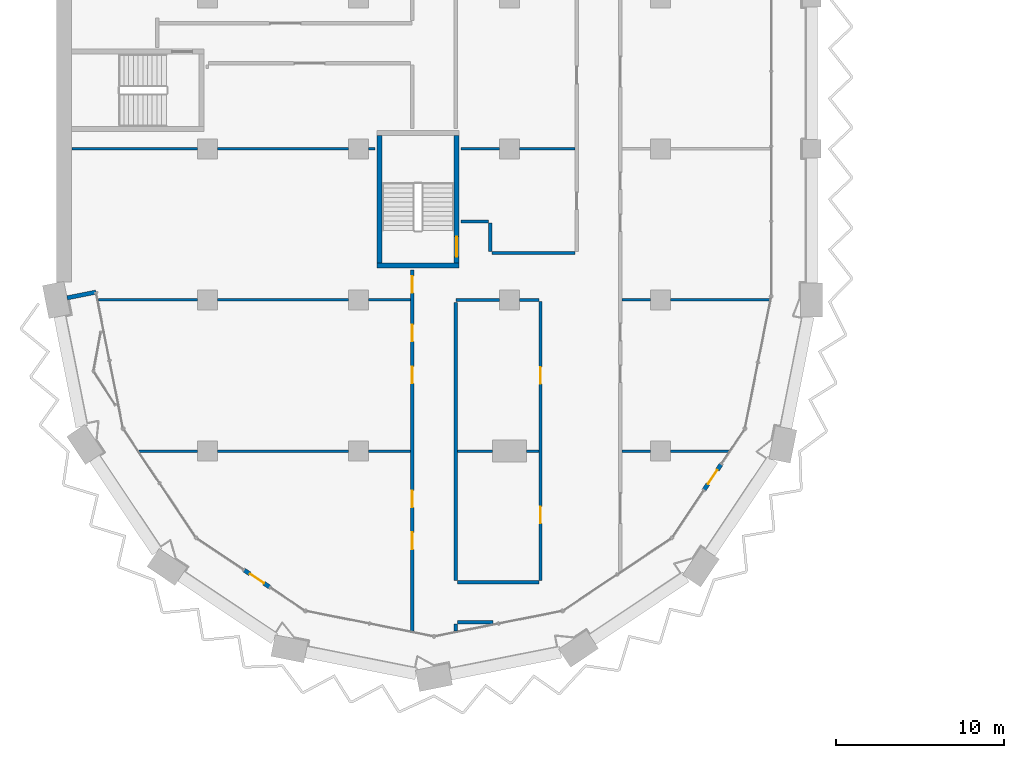
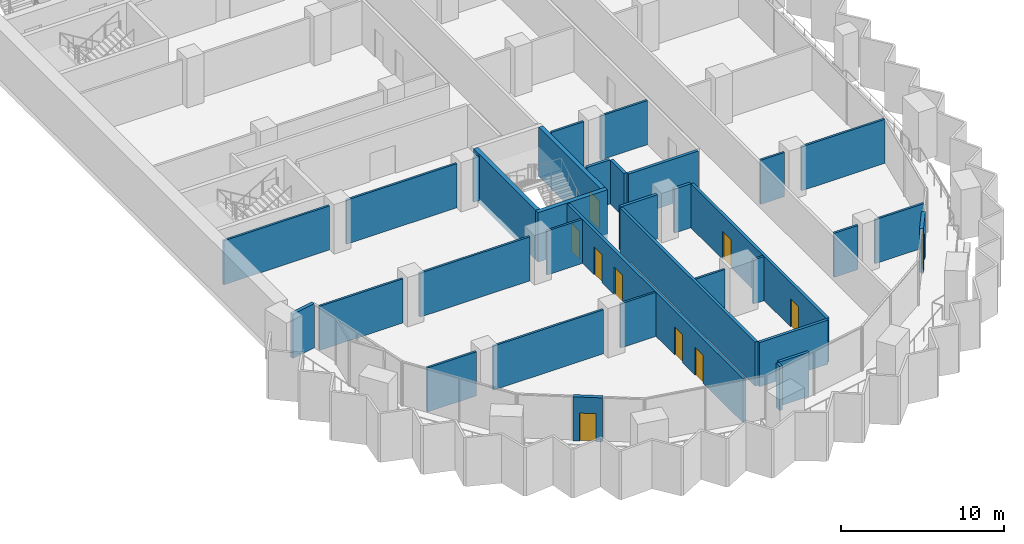
# One storey, part 10 of 23: 34 walls, 10 doors, 10 openings.
"""IFC4 building model written with IfcOpenShell, lengths in metres."""

from ifc_helpers import new_model, si_unit, direction, frame, frame_2d, origin, place, context, subcontext, project, spatial, rectangle, extrude, material, layer, layer_set, type_object, element, fill, save


model = new_model("IFC4")

# Units and contexts
model_context = context("Model", 3, precision=1e-05, world=origin(), true_north=direction((0.0, 1.0)))
body_context = subcontext(model_context, "Body", "Model", "MODEL_VIEW")
ifc_project = project(units=[si_unit("LENGTHUNIT", "METRE"), si_unit("AREAUNIT", "SQUARE_METRE"), si_unit("VOLUMEUNIT", "CUBIC_METRE"), si_unit("PLANEANGLEUNIT", "RADIAN"), si_unit("MASSUNIT", "GRAM", prefix="KILO")], contexts=[model_context])

# Site, building, storey
site_placement = place(None, origin())
site = spatial("IfcSite", under=ifc_project, at=site_placement, CompositionType="ELEMENT")
building_placement = place(site_placement, origin())
building = spatial("IfcBuilding", under=site, at=building_placement, Name="Hunhe Ridgeline Campus", CompositionType="ELEMENT")
storey_placement = place(building_placement, frame((0.0, 0.0, 167.10009765625)))
storey = spatial("IfcBuildingStorey", under=building, at=storey_placement, Name="L42", CompositionType="ELEMENT", Elevation=167.10009765625)

# Walls
ifc_material_1 = material(Name="Concrete C30", Category="concrete")
ifc_layer_1 = layer(ifc_material_1, 0.25)
ifc_layer_set_1 = layer_set([ifc_layer_1], Name="Corner return wall 250 Concrete C30")
wall_type_1 = type_object("IfcWallType", Name="Corner return wall 250 Concrete C30", PredefinedType="SOLIDWALL", material=ifc_layer_set_1)
wall_1_placement = place(storey_placement, frame((0.637451171875, 27.127685546875, 0.0), z_axis=(0.0, 0.0, 1.0), x_axis=(0.980842591884, 0.194801976239, 0.0)))
element("IfcWall", 1, at=wall_1_placement, inside=storey, type_object=wall_type_1, Name="Corner return wall 1", PredefinedType="SOLIDWALL", context=body_context, shape_type="SweptSolid", body=[
    extrude(rectangle(XDim=1.750732421875, YDim=0.25, at=frame_2d((0.87548828125, 0.0))), origin(), (0.0, 0.0, 1.0), 3.2998046875),
])
ifc_material_2 = material(Name="Gypsum board partition")
ifc_layer_2 = layer(ifc_material_2, 0.199951171875)
ifc_layer_set_2 = layer_set([ifc_layer_2], Name="Corridor partition 200 gypsum board on steel studs")
wall_type_2 = type_object("IfcWallType", Name="Corridor partition 200 gypsum board on steel studs", PredefinedType="PARTITIONING", material=ifc_layer_set_2)
wall_2_placement = place(storey_placement, frame((26.021728515625, 7.7900390625, 0.0), z_axis=(0.0, 0.0, 1.0), x_axis=(-1.0, 0.0, 0.0)))
element("IfcWall", 2, at=wall_2_placement, inside=storey, type_object=wall_type_2, Name="F-L42-wall-001", PredefinedType="PARTITIONING", context=body_context, shape_type="SweptSolid", body=[
    extrude(rectangle(XDim=2.121826171875, YDim=0.199951171875, at=frame_2d((1.06103515625, 0.0))), origin(), (0.0, 0.0, 1.0), 3.2998046875),
])
wall_3_placement = place(storey_placement, frame((23.89990234375, 10.18994140625, 0.0), z_axis=(0.0, 0.0, 1.0), x_axis=(1.0, 0.0, 0.0)))
element("IfcWall", 3, at=wall_3_placement, inside=storey, type_object=wall_type_2, Name="F-L42-wall-002", PredefinedType="PARTITIONING", context=body_context, shape_type="SweptSolid", body=[
    extrude(rectangle(XDim=4.85009765625, YDim=0.199951171875, at=frame_2d((2.425048828125, 0.0))), origin(), (0.0, 0.0, 1.0), 3.2998046875),
])
wall_4_placement = place(storey_placement, frame((26.39990234375, 27.0, 0.0), z_axis=(0.0, 0.0, 1.0), x_axis=(-1.0, 0.0, 0.0)))
element("IfcWall", 4, at=wall_4_placement, inside=storey, type_object=wall_type_2, Name="F-L42-wall-010", PredefinedType="PARTITIONING", context=body_context, shape_type="SweptSolid", body=[
    extrude(rectangle(XDim=2.599853515625, YDim=0.199951171875, at=frame_2d((1.2998046875, 0.0))), origin(), (0.0, 0.0, 1.0), 3.2998046875),
])
wall_5_placement = place(storey_placement, frame((28.75, 27.0, 0.0), z_axis=(0.0, 0.0, 1.0), x_axis=(-1.0, 0.0, 0.0)))
element("IfcWall", 5, at=wall_5_placement, inside=storey, type_object=wall_type_2, Name="F-L42-wall-011", PredefinedType="PARTITIONING", context=body_context, shape_type="SweptSolid", body=[
    extrude(rectangle(XDim=1.14990234375, YDim=0.199951171875, at=frame_2d((0.574951171875, 0.0))), origin(), (0.0, 0.0, 1.0), 3.2998046875),
])
wall_6_placement = place(storey_placement, frame((25.949951171875, 29.799072265625, 0.0), z_axis=(0.0, 0.0, 1.0), x_axis=(1.0, 0.0, 0.0)))
element("IfcWall", 6, at=wall_6_placement, inside=storey, type_object=wall_type_2, Name="F-L42-wall-017", PredefinedType="PARTITIONING", context=body_context, shape_type="SweptSolid", body=[
    extrude(rectangle(XDim=4.949951171875, YDim=0.199951171875, at=frame_2d((2.47509765625, 0.0))), origin(), (0.0, 0.0, 1.0), 3.2998046875),
])
wall_7_placement = place(storey_placement, frame((24.10400390625, 31.675048828125, 0.0), z_axis=(0.0, 0.0, 1.0), x_axis=(1.0, 0.0, 0.0)))
element("IfcWall", 7, at=wall_7_placement, inside=storey, type_object=wall_type_2, Name="F-L42-wall-018", PredefinedType="PARTITIONING", context=body_context, shape_type="SweptSolid", body=[
    extrude(rectangle(XDim=1.64599609375, YDim=0.199951171875, at=frame_2d((0.822998046875, 0.0))), origin(), (0.0, 0.0, 1.0), 3.2998046875),
])

# Wall, openings, doors
wall_8_placement = place(storey_placement, frame((21.199951171875, 7.26171875, 0.0), z_axis=(0.0, 0.0, 1.0), x_axis=(0.0, 1.0, 0.0)))
wall_8 = element("IfcWall", 8, at=wall_8_placement, inside=storey, type_object=wall_type_2, Name="F-L42-wall-063", PredefinedType="PARTITIONING", context=body_context, shape_type="SweptSolid", body=[
    extrude(rectangle(XDim=21.5341796875, YDim=0.199951171875, at=frame_2d((10.76708984375, 0.0))), origin(), (0.0, 0.0, 1.0), 3.2998046875),
])
opening_1_placement = place(wall_8_placement, frame((4.883544921875, 0.0, 0.0)))
opening_1 = element("IfcOpeningElement", 9, at=opening_1_placement, cuts=wall_8, Name="Opening RD1-001", PredefinedType="OPENING", context=body_context, shape_type="SweptSolid", body=[
    extrude(rectangle(XDim=1.0, YDim=2.10009765625, at=frame_2d((0.5, 1.050048828125))), frame((0.0, 0.10009765625, 0.0), z_axis=(0.0, -1.0, 0.0), x_axis=(1.0, 0.0, 0.0)), (0.0, 0.0, 1.0), 0.199951171875),
])
opening_2_placement = place(wall_8_placement, frame((7.383544921875, 0.0, 0.0)))
opening_2 = element("IfcOpeningElement", 10, at=opening_2_placement, cuts=wall_8, Name="Opening RD1-004", PredefinedType="OPENING", context=body_context, shape_type="SweptSolid", body=[
    extrude(rectangle(XDim=1.0, YDim=2.10009765625, at=frame_2d((0.5, 1.050048828125))), frame((0.0, 0.10009765625, 0.0), z_axis=(0.0, -1.0, 0.0), x_axis=(1.0, 0.0, 0.0)), (0.0, 0.0, 1.0), 0.199951171875),
])
opening_3_placement = place(wall_8_placement, frame((14.7744140625, 0.0, 0.0)))
opening_3 = element("IfcOpeningElement", 11, at=opening_3_placement, cuts=wall_8, Name="Opening RD1-005", PredefinedType="OPENING", context=body_context, shape_type="SweptSolid", body=[
    extrude(rectangle(XDim=1.0, YDim=2.10009765625, at=frame_2d((0.5, 1.050048828125))), frame((0.0, 0.10009765625, 0.0), z_axis=(0.0, -1.0, 0.0), x_axis=(1.0, 0.0, 0.0)), (0.0, 0.0, 1.0), 0.199951171875),
])
opening_4_placement = place(wall_8_placement, frame((17.2744140625, 0.0, 0.0)))
opening_4 = element("IfcOpeningElement", 12, at=opening_4_placement, cuts=wall_8, Name="Opening RD1-008", PredefinedType="OPENING", context=body_context, shape_type="SweptSolid", body=[
    extrude(rectangle(XDim=1.0, YDim=2.10009765625, at=frame_2d((0.5, 1.050048828125))), frame((0.0, 0.10009765625, 0.0), z_axis=(0.0, -1.0, 0.0), x_axis=(1.0, 0.0, 0.0)), (0.0, 0.0, 1.0), 0.199951171875),
])
opening_5_placement = place(wall_8_placement, frame((20.157958984375, 0.0, 0.0)))
opening_5 = element("IfcOpeningElement", 13, at=opening_5_placement, cuts=wall_8, Name="Opening RD1-010", PredefinedType="OPENING", context=body_context, shape_type="SweptSolid", body=[
    extrude(rectangle(XDim=1.0, YDim=2.10009765625, at=frame_2d((0.5, 1.050048828125))), frame((0.0, 0.10009765625, 0.0), z_axis=(0.0, -1.0, 0.0), x_axis=(1.0, 0.0, 0.0)), (0.0, 0.0, 1.0), 0.199951171875),
])
ifc_material_3 = material(Name="Timber door leaf", Category="wood")
door_type_1 = type_object("IfcDoorType", Name="Single fire door 1000x2100 timber FD60", OperationType="NOTDEFINED", PredefinedType="DOOR", material=ifc_material_3)
door_1_placement = place(opening_1_placement, frame((1.0, 0.0, 0.0), z_axis=(0.0, 0.0, 1.0), x_axis=(-1.0, 0.0, 0.0)))
door_1 = element("IfcDoor", 14, at=door_1_placement, inside=storey, type_object=door_type_1, Name="F-L42-door-001", OperationType="SINGLE_SWING_RIGHT", OverallHeight=2.10009765625, OverallWidth=1.0, PredefinedType="DOOR", context=body_context, shape_type="SweptSolid", body=[
    extrude(rectangle(XDim=1.0, YDim=2.10009765625, at=frame_2d((0.5, 1.050048828125))), frame((0.0, 0.02490234375, 0.0), z_axis=(0.0, -1.0, 0.0), x_axis=(1.0, 0.0, 0.0)), (0.0, 0.0, 1.0), 0.050048828125),
])
fill(opening_1, door_1)
door_2_placement = place(opening_2_placement, frame((1.0, 0.0, 0.0), z_axis=(0.0, 0.0, 1.0), x_axis=(-1.0, 0.0, 0.0)))
door_2 = element("IfcDoor", 15, at=door_2_placement, inside=storey, type_object=door_type_1, Name="F-L42-door-004", OperationType="SINGLE_SWING_LEFT", OverallHeight=2.10009765625, OverallWidth=1.0, PredefinedType="DOOR", context=body_context, shape_type="SweptSolid", body=[
    extrude(rectangle(XDim=1.0, YDim=2.10009765625, at=frame_2d((0.5, 1.050048828125))), frame((0.0, 0.02490234375, 0.0), z_axis=(0.0, -1.0, 0.0), x_axis=(1.0, 0.0, 0.0)), (0.0, 0.0, 1.0), 0.050048828125),
])
fill(opening_2, door_2)
door_3_placement = place(opening_3_placement, frame((1.0, 0.0, 0.0), z_axis=(0.0, 0.0, 1.0), x_axis=(-1.0, 0.0, 0.0)))
door_3 = element("IfcDoor", 16, at=door_3_placement, inside=storey, type_object=door_type_1, Name="F-L42-door-005", OperationType="SINGLE_SWING_LEFT", OverallHeight=2.10009765625, OverallWidth=1.0, PredefinedType="DOOR", context=body_context, shape_type="SweptSolid", body=[
    extrude(rectangle(XDim=1.0, YDim=2.10009765625, at=frame_2d((0.5, 1.050048828125))), frame((0.0, 0.02490234375, 0.0), z_axis=(0.0, -1.0, 0.0), x_axis=(1.0, 0.0, 0.0)), (0.0, 0.0, 1.0), 0.050048828125),
])
fill(opening_3, door_3)
door_4_placement = place(opening_4_placement, frame((1.0, 0.0, 0.0), z_axis=(0.0, 0.0, 1.0), x_axis=(-1.0, 0.0, 0.0)))
door_4 = element("IfcDoor", 17, at=door_4_placement, inside=storey, type_object=door_type_1, Name="F-L42-door-008", OperationType="SINGLE_SWING_LEFT", OverallHeight=2.10009765625, OverallWidth=1.0, PredefinedType="DOOR", context=body_context, shape_type="SweptSolid", body=[
    extrude(rectangle(XDim=1.0, YDim=2.10009765625, at=frame_2d((0.5, 1.050048828125))), frame((0.0, 0.02490234375, 0.0), z_axis=(0.0, -1.0, 0.0), x_axis=(1.0, 0.0, 0.0)), (0.0, 0.0, 1.0), 0.050048828125),
])
fill(opening_4, door_4)
door_5_placement = place(opening_5_placement, frame((1.0, 0.0, 0.0), z_axis=(0.0, 0.0, 1.0), x_axis=(-1.0, 0.0, 0.0)))
door_5 = element("IfcDoor", 18, at=door_5_placement, inside=storey, type_object=door_type_1, Name="F-L42-door-010", OperationType="SINGLE_SWING_LEFT", OverallHeight=2.10009765625, OverallWidth=1.0, PredefinedType="DOOR", context=body_context, shape_type="SweptSolid", body=[
    extrude(rectangle(XDim=1.0, YDim=2.10009765625, at=frame_2d((0.5, 1.050048828125))), frame((0.0, 0.02490234375, 0.0), z_axis=(0.0, -1.0, 0.0), x_axis=(1.0, 0.0, 0.0)), (0.0, 0.0, 1.0), 0.050048828125),
])
fill(opening_5, door_5)

# Walls
wall_9_placement = place(storey_placement, frame((23.800048828125, 7.68994140625, 0.0), z_axis=(0.0, 0.0, 1.0), x_axis=(0.0, -1.0, 0.0)))
element("IfcWall", 19, at=wall_9_placement, inside=storey, type_object=wall_type_2, Name="F-L42-wall-066", PredefinedType="PARTITIONING", context=body_context, shape_type="SweptSolid", body=[
    extrude(rectangle(XDim=0.42822265625, YDim=0.199951171875, at=frame_2d((0.214111328125, 0.0))), origin(), (0.0, 0.0, 1.0), 3.2998046875),
])
wall_10_placement = place(storey_placement, frame((23.800048828125, 26.83837890625, 0.0), z_axis=(0.0, 0.0, 1.0), x_axis=(0.0, -1.0, 0.0)))
element("IfcWall", 20, at=wall_10_placement, inside=storey, type_object=wall_type_2, Name="F-L42-wall-067", PredefinedType="PARTITIONING", context=body_context, shape_type="SweptSolid", body=[
    extrude(rectangle(XDim=16.54833984375, YDim=0.199951171875, at=frame_2d((8.274169921875, 0.0))), origin(), (0.0, 0.0, 1.0), 3.2998046875),
])
wall_11_placement = place(storey_placement, frame((25.85009765625, 31.574951171875, 0.0), z_axis=(0.0, 0.0, 1.0), x_axis=(0.0, -1.0, 0.0)))
element("IfcWall", 21, at=wall_11_placement, inside=storey, type_object=wall_type_2, Name="F-L42-wall-069", PredefinedType="PARTITIONING", context=body_context, shape_type="SweptSolid", body=[
    extrude(rectangle(XDim=1.676025390625, YDim=0.199951171875, at=frame_2d((0.837890625, 0.0))), origin(), (0.0, 0.0, 1.0), 3.2998046875),
])

# Wall, openings, doors
wall_12_placement = place(storey_placement, frame((28.85009765625, 10.2900390625, 0.0), z_axis=(0.0, 0.0, 1.0), x_axis=(0.0, 1.0, 0.0)))
wall_12 = element("IfcWall", 22, at=wall_12_placement, inside=storey, type_object=wall_type_2, Name="F-L42-wall-070", PredefinedType="PARTITIONING", context=body_context, shape_type="SweptSolid", body=[
    extrude(rectangle(XDim=16.60986328125, YDim=0.199951171875, at=frame_2d((8.304931640625, 0.0))), origin(), (0.0, 0.0, 1.0), 3.2998046875),
])
opening_6_placement = place(wall_12_placement, frame((3.40087890625, 0.0, 0.0)))
opening_6 = element("IfcOpeningElement", 23, at=opening_6_placement, cuts=wall_12, Name="Opening RD1-002", PredefinedType="OPENING", context=body_context, shape_type="SweptSolid", body=[
    extrude(rectangle(XDim=1.0, YDim=2.10009765625, at=frame_2d((0.5, 1.050048828125))), frame((0.0, 0.10009765625, 0.0), z_axis=(0.0, -1.0, 0.0), x_axis=(1.0, 0.0, 0.0)), (0.0, 0.0, 1.0), 0.199951171875),
])
opening_7_placement = place(wall_12_placement, frame((11.705810546875, 0.0, 0.0)))
opening_7 = element("IfcOpeningElement", 24, at=opening_7_placement, cuts=wall_12, Name="Opening RD1-006", PredefinedType="OPENING", context=body_context, shape_type="SweptSolid", body=[
    extrude(rectangle(XDim=1.0, YDim=2.10009765625, at=frame_2d((0.5, 1.050048828125))), frame((0.0, 0.10009765625, 0.0), z_axis=(0.0, -1.0, 0.0), x_axis=(1.0, 0.0, 0.0)), (0.0, 0.0, 1.0), 0.199951171875),
])
door_6_placement = place(opening_6_placement, origin())
door_6 = element("IfcDoor", 25, at=door_6_placement, inside=storey, type_object=door_type_1, Name="F-L42-door-002", OperationType="SINGLE_SWING_RIGHT", OverallHeight=2.10009765625, OverallWidth=1.0, PredefinedType="DOOR", context=body_context, shape_type="SweptSolid", body=[
    extrude(rectangle(XDim=1.0, YDim=2.10009765625, at=frame_2d((0.5, 1.050048828125))), frame((0.0, 0.02490234375, 0.0), z_axis=(0.0, -1.0, 0.0), x_axis=(1.0, 0.0, 0.0)), (0.0, 0.0, 1.0), 0.050048828125),
])
fill(opening_6, door_6)
door_7_placement = place(opening_7_placement, origin())
door_7 = element("IfcDoor", 26, at=door_7_placement, inside=storey, type_object=door_type_1, Name="F-L42-door-006", OperationType="SINGLE_SWING_RIGHT", OverallHeight=2.10009765625, OverallWidth=1.0, PredefinedType="DOOR", context=body_context, shape_type="SweptSolid", body=[
    extrude(rectangle(XDim=1.0, YDim=2.10009765625, at=frame_2d((0.5, 1.050048828125))), frame((0.0, 0.02490234375, 0.0), z_axis=(0.0, -1.0, 0.0), x_axis=(1.0, 0.0, 0.0)), (0.0, 0.0, 1.0), 0.050048828125),
])
fill(opening_7, door_7)

# Wall, opening, door
ifc_layer_3 = layer(ifc_material_1, 0.25)
ifc_layer_set_3 = layer_set([ifc_layer_3], Name="Loggia door pier wall 250 Concrete C30")
wall_type_3 = type_object("IfcWallType", Name="Loggia door pier wall 250 Concrete C30", PredefinedType="SOLIDWALL", material=ifc_layer_set_3)
wall_13_placement = place(storey_placement, frame((11.19970703125, 10.897705078125, 0.0), z_axis=(0.0, 0.0, 1.0), x_axis=(0.83146554274, -0.555576323502, 0.0)))
wall_13 = element("IfcWall", 27, at=wall_13_placement, inside=storey, type_object=wall_type_3, Name="Loggia door pier 1", PredefinedType="SOLIDWALL", context=body_context, shape_type="SweptSolid", body=[
    extrude(rectangle(XDim=1.800048828125, YDim=0.25, at=frame_2d((0.89990234375, 0.0))), origin(), (0.0, 0.0, 1.0), 3.2998046875),
])
opening_8_placement = place(wall_13_placement, frame((0.39990234375, 0.0, 0.0)))
opening_8 = element("IfcOpeningElement", 28, at=opening_8_placement, cuts=wall_13, Name="Opening BD302", PredefinedType="OPENING", context=body_context, shape_type="SweptSolid", body=[
    extrude(rectangle(XDim=1.0, YDim=2.10009765625, at=frame_2d((0.5, 1.050048828125))), frame((0.0, 0.125, 0.0), z_axis=(0.0, -1.0, 0.0), x_axis=(1.0, 0.0, 0.0)), (0.0, 0.0, 1.0), 0.25),
])
ifc_material_4 = material(Name="Aluminium 6063", Category="aluminium")
door_type_2 = type_object("IfcDoorType", Name="Loggia glazed door 1000x2100", OperationType="NOTDEFINED", PredefinedType="DOOR", material=ifc_material_4)
door_8_placement = place(opening_8_placement, frame((1.0, 0.0, 0.0), z_axis=(0.0, 0.0, 1.0), x_axis=(-1.0, 0.0, 0.0)))
door_8 = element("IfcDoor", 29, at=door_8_placement, inside=storey, type_object=door_type_2, Name="Loggia door BD302", OperationType="SINGLE_SWING_LEFT", OverallHeight=2.10009765625, OverallWidth=1.0, PredefinedType="DOOR", context=body_context, shape_type="SweptSolid", body=[
    extrude(rectangle(XDim=1.0, YDim=2.10009765625, at=frame_2d((0.5, 1.050048828125))), frame((0.0, 0.02490234375, 0.0), z_axis=(0.0, -1.0, 0.0), x_axis=(1.0, 0.0, 0.0)), (0.0, 0.0, 1.0), 0.050048828125),
])
fill(opening_8, door_8)

wall_14_placement = place(storey_placement, frame((38.602294921875, 15.69970703125, 0.0), z_axis=(0.0, 0.0, 1.0), x_axis=(0.555576323502, 0.83146554274, 0.0)))
wall_14 = element("IfcWall", 30, at=wall_14_placement, inside=storey, type_object=wall_type_3, Name="Loggia door pier 2", PredefinedType="SOLIDWALL", context=body_context, shape_type="SweptSolid", body=[
    extrude(rectangle(XDim=1.800048828125, YDim=0.25, at=frame_2d((0.89990234375, 0.0))), origin(), (0.0, 0.0, 1.0), 3.2998046875),
])
opening_9_placement = place(wall_14_placement, frame((0.39990234375, 0.0, 0.0)))
opening_9 = element("IfcOpeningElement", 31, at=opening_9_placement, cuts=wall_14, Name="Opening BD304", PredefinedType="OPENING", context=body_context, shape_type="SweptSolid", body=[
    extrude(rectangle(XDim=1.0, YDim=2.10009765625, at=frame_2d((0.5, 1.050048828125))), frame((0.0, 0.125, 0.0), z_axis=(0.0, -1.0, 0.0), x_axis=(1.0, 0.0, 0.0)), (0.0, 0.0, 1.0), 0.25),
])
door_9_placement = place(opening_9_placement, frame((1.0, 0.0, 0.0), z_axis=(0.0, 0.0, 1.0), x_axis=(-1.0, 0.0, 0.0)))
door_9 = element("IfcDoor", 32, at=door_9_placement, inside=storey, type_object=door_type_2, Name="Loggia door BD304", OperationType="SINGLE_SWING_LEFT", OverallHeight=2.10009765625, OverallWidth=1.0, PredefinedType="DOOR", context=body_context, shape_type="SweptSolid", body=[
    extrude(rectangle(XDim=1.0, YDim=2.10009765625, at=frame_2d((0.5, 1.050048828125))), frame((0.0, 0.02490234375, 0.0), z_axis=(0.0, -1.0, 0.0), x_axis=(1.0, 0.0, 0.0)), (0.0, 0.0, 1.0), 0.050048828125),
])
fill(opening_9, door_9)

# Walls
ifc_layer_4 = layer(ifc_material_2, 0.14990234375)
ifc_layer_set_4 = layer_set([ifc_layer_4], Name="Room partition 150 gypsum board on steel studs")
wall_type_4 = type_object("IfcWallType", Name="Room partition 150 gypsum board on steel studs", PredefinedType="PARTITIONING", material=ifc_layer_set_4)
wall_15_placement = place(storey_placement, frame((4.925537109375, 18.0, 0.0), z_axis=(0.0, 0.0, 1.0), x_axis=(1.0, 0.0, 0.0)))
element("IfcWall", 33, at=wall_15_placement, inside=storey, type_object=wall_type_4, Name="F-L42-wall-003", PredefinedType="PARTITIONING", context=body_context, shape_type="SweptSolid", body=[
    extrude(rectangle(XDim=3.474365234375, YDim=0.14990234375, at=frame_2d((1.7373046875, 0.0))), origin(), (0.0, 0.0, 1.0), 3.2998046875),
])
wall_16_placement = place(storey_placement, frame((9.60009765625, 18.0, 0.0), z_axis=(0.0, 0.0, 1.0), x_axis=(1.0, 0.0, 0.0)))
element("IfcWall", 34, at=wall_16_placement, inside=storey, type_object=wall_type_4, Name="F-L42-wall-004", PredefinedType="PARTITIONING", context=body_context, shape_type="SweptSolid", body=[
    extrude(rectangle(XDim=7.7998046875, YDim=0.14990234375, at=frame_2d((3.89990234375, 0.0))), origin(), (0.0, 0.0, 1.0), 3.2998046875),
])
wall_17_placement = place(storey_placement, frame((18.60009765625, 18.0, 0.0), z_axis=(0.0, 0.0, 1.0), x_axis=(1.0, 0.0, 0.0)))
element("IfcWall", 35, at=wall_17_placement, inside=storey, type_object=wall_type_4, Name="F-L42-wall-005", PredefinedType="PARTITIONING", context=body_context, shape_type="SweptSolid", body=[
    extrude(rectangle(XDim=2.5, YDim=0.14990234375, at=frame_2d((1.25, 0.0))), origin(), (0.0, 0.0, 1.0), 3.2998046875),
])
wall_18_placement = place(storey_placement, frame((23.89990234375, 18.0, 0.0), z_axis=(0.0, 0.0, 1.0), x_axis=(1.0, 0.0, 0.0)))
element("IfcWall", 36, at=wall_18_placement, inside=storey, type_object=wall_type_4, Name="F-L42-wall-006", PredefinedType="PARTITIONING", context=body_context, shape_type="SweptSolid", body=[
    extrude(rectangle(XDim=2.10009765625, YDim=0.14990234375, at=frame_2d((1.050048828125, 0.0))), origin(), (0.0, 0.0, 1.0), 3.2998046875),
])
wall_19_placement = place(storey_placement, frame((28.0, 18.0, 0.0), z_axis=(0.0, 0.0, 1.0), x_axis=(1.0, 0.0, 0.0)))
element("IfcWall", 37, at=wall_19_placement, inside=storey, type_object=wall_type_4, Name="F-L42-wall-007", PredefinedType="PARTITIONING", context=body_context, shape_type="SweptSolid", body=[
    extrude(rectangle(XDim=0.75, YDim=0.14990234375, at=frame_2d((0.375, 0.0))), origin(), (0.0, 0.0, 1.0), 3.2998046875),
])
wall_20_placement = place(storey_placement, frame((33.699951171875, 18.0, 0.0), z_axis=(0.0, 0.0, 1.0), x_axis=(1.0, 0.0, 0.0)))
element("IfcWall", 38, at=wall_20_placement, inside=storey, type_object=wall_type_4, Name="F-L42-wall-008", PredefinedType="PARTITIONING", context=body_context, shape_type="SweptSolid", body=[
    extrude(rectangle(XDim=1.699951171875, YDim=0.14990234375, at=frame_2d((0.85009765625, 0.0))), origin(), (0.0, 0.0, 1.0), 3.2998046875),
])
wall_21_placement = place(storey_placement, frame((36.60009765625, 18.0, 0.0), z_axis=(0.0, 0.0, 1.0), x_axis=(1.0, 0.0, 0.0)))
element("IfcWall", 39, at=wall_21_placement, inside=storey, type_object=wall_type_4, Name="F-L42-wall-009", PredefinedType="PARTITIONING", context=body_context, shape_type="SweptSolid", body=[
    extrude(rectangle(XDim=3.474365234375, YDim=0.14990234375, at=frame_2d((1.7373046875, 0.0))), origin(), (0.0, 0.0, 1.0), 3.2998046875),
])
wall_22_placement = place(storey_placement, frame((2.503173828125, 27.0, 0.0), z_axis=(0.0, 0.0, 1.0), x_axis=(1.0, 0.0, 0.0)))
element("IfcWall", 40, at=wall_22_placement, inside=storey, type_object=wall_type_4, Name="F-L42-wall-012", PredefinedType="PARTITIONING", context=body_context, shape_type="SweptSolid", body=[
    extrude(rectangle(XDim=5.896728515625, YDim=0.14990234375, at=frame_2d((2.9482421875, 0.0))), origin(), (0.0, 0.0, 1.0), 3.2998046875),
])
wall_23_placement = place(storey_placement, frame((9.60009765625, 27.0, 0.0), z_axis=(0.0, 0.0, 1.0), x_axis=(1.0, 0.0, 0.0)))
element("IfcWall", 41, at=wall_23_placement, inside=storey, type_object=wall_type_4, Name="F-L42-wall-013", PredefinedType="PARTITIONING", context=body_context, shape_type="SweptSolid", body=[
    extrude(rectangle(XDim=7.7998046875, YDim=0.14990234375, at=frame_2d((3.89990234375, 0.0))), origin(), (0.0, 0.0, 1.0), 3.2998046875),
])
wall_24_placement = place(storey_placement, frame((18.60009765625, 27.0, 0.0), z_axis=(0.0, 0.0, 1.0), x_axis=(1.0, 0.0, 0.0)))
element("IfcWall", 42, at=wall_24_placement, inside=storey, type_object=wall_type_4, Name="F-L42-wall-014", PredefinedType="PARTITIONING", context=body_context, shape_type="SweptSolid", body=[
    extrude(rectangle(XDim=2.5, YDim=0.14990234375, at=frame_2d((1.25, 0.0))), origin(), (0.0, 0.0, 1.0), 3.2998046875),
])
wall_25_placement = place(storey_placement, frame((33.699951171875, 27.0, 0.0), z_axis=(0.0, 0.0, 1.0), x_axis=(1.0, 0.0, 0.0)))
element("IfcWall", 43, at=wall_25_placement, inside=storey, type_object=wall_type_4, Name="F-L42-wall-015", PredefinedType="PARTITIONING", context=body_context, shape_type="SweptSolid", body=[
    extrude(rectangle(XDim=1.699951171875, YDim=0.14990234375, at=frame_2d((0.85009765625, 0.0))), origin(), (0.0, 0.0, 1.0), 3.2998046875),
])
wall_26_placement = place(storey_placement, frame((36.60009765625, 27.0, 0.0), z_axis=(0.0, 0.0, 1.0), x_axis=(1.0, 0.0, 0.0)))
element("IfcWall", 44, at=wall_26_placement, inside=storey, type_object=wall_type_4, Name="F-L42-wall-016", PredefinedType="PARTITIONING", context=body_context, shape_type="SweptSolid", body=[
    extrude(rectangle(XDim=5.896728515625, YDim=0.14990234375, at=frame_2d((2.9482421875, 0.0))), origin(), (0.0, 0.0, 1.0), 3.2998046875),
])
wall_27_placement = place(storey_placement, frame((0.919921875, 36.0, 0.0), z_axis=(0.0, 0.0, 1.0), x_axis=(1.0, 0.0, 0.0)))
element("IfcWall", 45, at=wall_27_placement, inside=storey, type_object=wall_type_4, Name="F-L42-wall-019", PredefinedType="PARTITIONING", context=body_context, shape_type="SweptSolid", body=[
    extrude(rectangle(XDim=7.47998046875, YDim=0.14990234375, at=frame_2d((3.739990234375, 0.0))), origin(), (0.0, 0.0, 1.0), 3.2998046875),
])
wall_28_placement = place(storey_placement, frame((9.60009765625, 36.0, 0.0), z_axis=(0.0, 0.0, 1.0), x_axis=(1.0, 0.0, 0.0)))
element("IfcWall", 46, at=wall_28_placement, inside=storey, type_object=wall_type_4, Name="F-L42-wall-020", PredefinedType="PARTITIONING", context=body_context, shape_type="SweptSolid", body=[
    extrude(rectangle(XDim=7.7998046875, YDim=0.14990234375, at=frame_2d((3.89990234375, 0.0))), origin(), (0.0, 0.0, 1.0), 3.2998046875),
])
wall_29_placement = place(storey_placement, frame((18.60009765625, 36.0, 0.0), z_axis=(0.0, 0.0, 1.0), x_axis=(1.0, 0.0, 0.0)))
element("IfcWall", 47, at=wall_29_placement, inside=storey, type_object=wall_type_4, Name="F-L42-wall-021", PredefinedType="PARTITIONING", context=body_context, shape_type="SweptSolid", body=[
    extrude(rectangle(XDim=0.39599609375, YDim=0.14990234375, at=frame_2d((0.197998046875, 0.0))), origin(), (0.0, 0.0, 1.0), 3.2998046875),
])
wall_30_placement = place(storey_placement, frame((24.10400390625, 36.0, 0.0), z_axis=(0.0, 0.0, 1.0), x_axis=(1.0, 0.0, 0.0)))
element("IfcWall", 48, at=wall_30_placement, inside=storey, type_object=wall_type_4, Name="F-L42-wall-022", PredefinedType="PARTITIONING", context=body_context, shape_type="SweptSolid", body=[
    extrude(rectangle(XDim=2.2958984375, YDim=0.14990234375, at=frame_2d((1.14794921875, 0.0))), origin(), (0.0, 0.0, 1.0), 3.2998046875),
])
wall_31_placement = place(storey_placement, frame((27.60009765625, 36.0, 0.0), z_axis=(0.0, 0.0, 1.0), x_axis=(1.0, 0.0, 0.0)))
element("IfcWall", 49, at=wall_31_placement, inside=storey, type_object=wall_type_4, Name="F-L42-wall-023", PredefinedType="PARTITIONING", context=body_context, shape_type="SweptSolid", body=[
    extrude(rectangle(XDim=3.2998046875, YDim=0.14990234375, at=frame_2d((1.64990234375, 0.0))), origin(), (0.0, 0.0, 1.0), 3.2998046875),
])
ifc_material_5 = material(Name="Concrete C70", Category="concrete")
ifc_layer_5 = layer(ifc_material_5, 0.300048828125)
ifc_layer_set_5 = layer_set([ifc_layer_5], Name="Stair wall 300 reinforced concrete C70")
wall_type_5 = type_object("IfcWallType", Name="Stair wall 300 reinforced concrete C70", PredefinedType="SOLIDWALL", material=ifc_layer_set_5)
wall_32_placement = place(storey_placement, frame((19.10009765625, 29.050048828125, -0.400146484375), z_axis=(0.0, 0.0, 1.0), x_axis=(1.0, 0.0, 0.0)))
element("IfcWall", 50, at=wall_32_placement, inside=storey, type_object=wall_type_5, Name="L42 core wall 1", PredefinedType="SOLIDWALL", context=body_context, shape_type="SweptSolid", body=[
    extrude(rectangle(XDim=4.89990234375, YDim=0.300048828125, at=frame_2d((2.449951171875, 0.0))), origin(), (0.0, 0.0, 1.0), 3.699951171875),
])
wall_33_placement = place(storey_placement, frame((19.25, 29.199951171875, -0.400146484375), z_axis=(0.0, 0.0, 1.0), x_axis=(0.0, 1.0, 0.0)))
element("IfcWall", 51, at=wall_33_placement, inside=storey, type_object=wall_type_5, Name="L42 core wall 47", PredefinedType="SOLIDWALL", context=body_context, shape_type="SweptSolid", body=[
    extrude(rectangle(XDim=7.60009765625, YDim=0.300048828125, at=frame_2d((3.800048828125, 0.0))), origin(), (0.0, 0.0, 1.0), 3.699951171875),
])

# Wall, opening, door
wall_34_placement = place(storey_placement, frame((23.85009765625, 29.199951171875, -0.400146484375), z_axis=(0.0, 0.0, 1.0), x_axis=(0.0, 1.0, 0.0)))
wall_34 = element("IfcWall", 52, at=wall_34_placement, inside=storey, type_object=wall_type_5, Name="L42 core wall 52", PredefinedType="SOLIDWALL", context=body_context, shape_type="SweptSolid", body=[
    extrude(rectangle(XDim=7.60009765625, YDim=0.300048828125, at=frame_2d((3.800048828125, 0.0))), origin(), (0.0, 0.0, 1.0), 3.699951171875),
])
opening_10_placement = place(wall_34_placement, frame((0.375, 0.0, 0.39990234375)))
opening_10 = element("IfcOpeningElement", 53, at=opening_10_placement, cuts=wall_34, Name="Opening CD23", PredefinedType="OPENING", context=body_context, shape_type="SweptSolid", body=[
    extrude(rectangle(XDim=1.199951171875, YDim=2.10009765625, at=frame_2d((0.60009765625, 1.050048828125))), frame((0.0, 0.14990234375, 0.0), z_axis=(0.0, -1.0, 0.0), x_axis=(1.0, 0.0, 0.0)), (0.0, 0.0, 1.0), 0.300048828125),
])
ifc_material_6 = material(Name="Hollow metal fire door leaf")
door_type_3 = type_object("IfcDoorType", Name="Stair door 1200x2100 FD60", OperationType="SINGLE_SWING_LEFT", PredefinedType="DOOR", material=ifc_material_6)
door_10_placement = place(opening_10_placement, frame((1.199951171875, 0.0, 0.0), z_axis=(0.0, 0.0, 1.0), x_axis=(-1.0, 0.0, 0.0)))
door_10 = element("IfcDoor", 54, at=door_10_placement, inside=storey, type_object=door_type_3, Name="L42 door W3", OperationType="SINGLE_SWING_RIGHT", OverallHeight=2.10009765625, OverallWidth=1.199951171875, PredefinedType="DOOR", context=body_context, shape_type="SweptSolid", body=[
    extrude(rectangle(XDim=1.199951171875, YDim=2.10009765625, at=frame_2d((0.60009765625, 1.050048828125))), frame((0.0, 0.02490234375, 0.0), z_axis=(0.0, -1.0, 0.0), x_axis=(1.0, 0.0, 0.0)), (0.0, 0.0, 1.0), 0.050048828125),
])
fill(opening_10, door_10)

save(model, "model.ifc")
